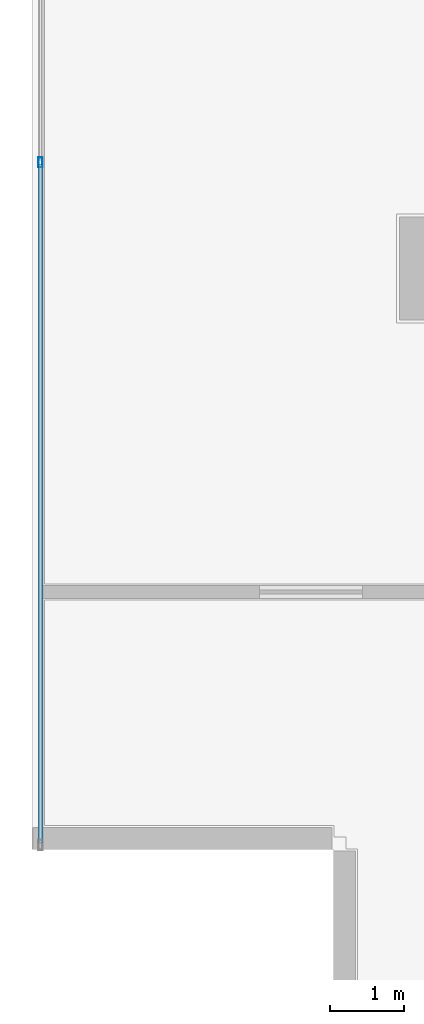
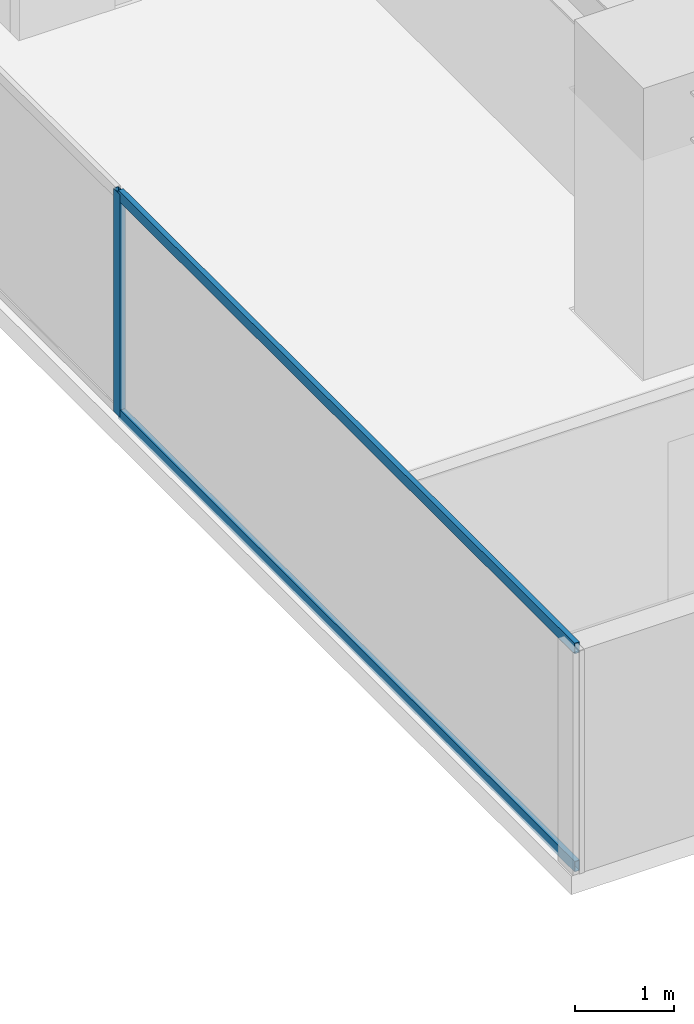
# One storey, part 4 of 26: 3 members, 1 element without a shape of its own.
"""IFC4 building model written with IfcOpenShell, lengths in metres."""

from ifc_helpers import new_model, si_unit, direction, frame, origin, origin_2d, place, context, subcontext, project, spatial, hollow_rectangle, extrude, source, transform, mapped, material, layer, layer_set, material_profile, profile_set, type_object, element, aggregate, save


model = new_model("IFC4")

# Units and contexts
model_context = context("Model", 3, precision=1e-05, world=origin(), true_north=direction((0.0, 1.0)))
body_context = subcontext(model_context, "Body", "Model", "MODEL_VIEW")
ifc_project = project(units=[si_unit("LENGTHUNIT", "METRE"), si_unit("AREAUNIT", "SQUARE_METRE"), si_unit("VOLUMEUNIT", "CUBIC_METRE"), si_unit("PLANEANGLEUNIT", "RADIAN"), si_unit("MASSUNIT", "GRAM", prefix="KILO")], contexts=[model_context])

# Site, building, storey
site_placement = place(None, origin())
site = spatial("IfcSite", under=ifc_project, at=site_placement, CompositionType="ELEMENT")
building_placement = place(site_placement, origin())
building = spatial("IfcBuilding", under=site, at=building_placement, Name="Sumidabori Civic Tower", CompositionType="ELEMENT")
storey_placement = place(building_placement, frame((0.0, 0.0, 264.800048828125)))
storey = spatial("IfcBuildingStorey", under=building, at=storey_placement, Name="L69", CompositionType="ELEMENT", Elevation=264.800048828125)

# Curtain wall, members
ifc_material = material(Name="Anodised Bronze Aluminium AW-6063-T6", Category="aluminium")
ifc_layer = layer(ifc_material, 0.179931640625, Name="Anodised Bronze Aluminium AW-6063-T6")
ifc_layer_set = layer_set([ifc_layer], Name="Anodised Bronze Aluminium AW-6063-T6")
curtain_wall_type = type_object("IfcCurtainWallType", Name="CW-SYS-5", PredefinedType="NOTDEFINED", material=ifc_layer_set)
curtain_wall_placement = place(storey_placement, origin())
curtain_wall = element("IfcCurtainWall", 1, at=curtain_wall_placement, inside=storey, type_object=curtain_wall_type, Name="Curtain Wall CW:L69:R10", PredefinedType="NOTDEFINED")
ifc_material_profile_1 = material_profile(ifc_material, hollow_rectangle(XDim=0.06005859375, YDim=0.139892578125, WallThickness=0.0048828125, at=origin_2d()), Name="ALU MULLION 140x60")
ifc_profile_set_1 = profile_set([ifc_material_profile_1], Name="Anodised Bronze Aluminium AW-6063-T6")
member_type_1 = type_object("IfcMemberType", Name="CW-MUL-140", PredefinedType="MULLION", material=ifc_profile_set_1)
shared_shape_1 = source(origin(), body_context, "Body", "SweptSolid", [
    extrude(hollow_rectangle(XDim=0.06005859375, YDim=0.139892578125, WallThickness=0.0048828125, at=origin_2d()), origin(), (0.0, 0.0, 1.0), 2.75),
])
member_1_placement = place(storey_placement, frame((-22.3798828125, 1.443359375, 0.0), z_axis=(0.0, 0.0, 1.0), x_axis=(1.0, 0.0, 0.0)))
member_1 = element("IfcMember", 2, at=member_1_placement, type_object=member_type_1, Name="CW-5 mullion 3", PredefinedType="MULLION", context=body_context, shape_type="MappedRepresentation", body=[
    mapped(shared_shape_1, transform((0.0, 0.0, 0.0), x_axis=(1.0, 0.0, 0.0), y_axis=(0.0, 1.0, 0.0), z_axis=(0.0, 0.0, 1.0), scale=1.0)),
])
ifc_material_profile_2 = material_profile(ifc_material, hollow_rectangle(XDim=0.06005859375, YDim=0.1298828125, WallThickness=0.0048828125, at=origin_2d()), Name="ALU TRANSOM 130x60")
ifc_profile_set_2 = profile_set([ifc_material_profile_2], Name="Anodised Bronze Aluminium AW-6063-T6")
member_type_2 = type_object("IfcMemberType", Name="CW-TRN-130", PredefinedType="USERDEFINED", material=ifc_profile_set_2)
shared_shape_2 = source(origin(), body_context, "Body", "SweptSolid", [
    extrude(hollow_rectangle(XDim=0.06005859375, YDim=0.1298828125, WallThickness=0.0048828125, at=origin_2d()), origin(), (0.0, 0.0, 1.0), 9.223388671875),
])
member_2_placement = place(storey_placement, frame((-22.3798828125, 1.413330078125, 0.030029296875), z_axis=(0.0, -1.0, 0.0), x_axis=(1.0, 0.0, 0.0)))
member_2 = element("IfcMember", 3, at=member_2_placement, type_object=member_type_2, Name="CW-5 transom 3.1", ObjectType="TRANSOM", PredefinedType="USERDEFINED", context=body_context, shape_type="MappedRepresentation", body=[
    mapped(shared_shape_2, transform((0.0, 0.0, 0.0), x_axis=(1.0, 0.0, 0.0), y_axis=(0.0, 1.0, 0.0), z_axis=(0.0, 0.0, 1.0), scale=1.0)),
])
member_3_placement = place(storey_placement, frame((-22.3798828125, 1.413330078125, 2.719970703125), z_axis=(0.0, -1.0, 0.0), x_axis=(1.0, 0.0, 0.0)))
member_3 = element("IfcMember", 4, at=member_3_placement, type_object=member_type_2, Name="CW-5 transom 3.2", ObjectType="TRANSOM", PredefinedType="USERDEFINED", context=body_context, shape_type="MappedRepresentation", body=[
    mapped(shared_shape_2, transform((0.0, 0.0, 0.0), x_axis=(1.0, 0.0, 0.0), y_axis=(0.0, 1.0, 0.0), z_axis=(0.0, 0.0, 1.0), scale=1.0)),
])
aggregate(curtain_wall, [member_1, member_2, member_3])

save(model, "model.ifc")
